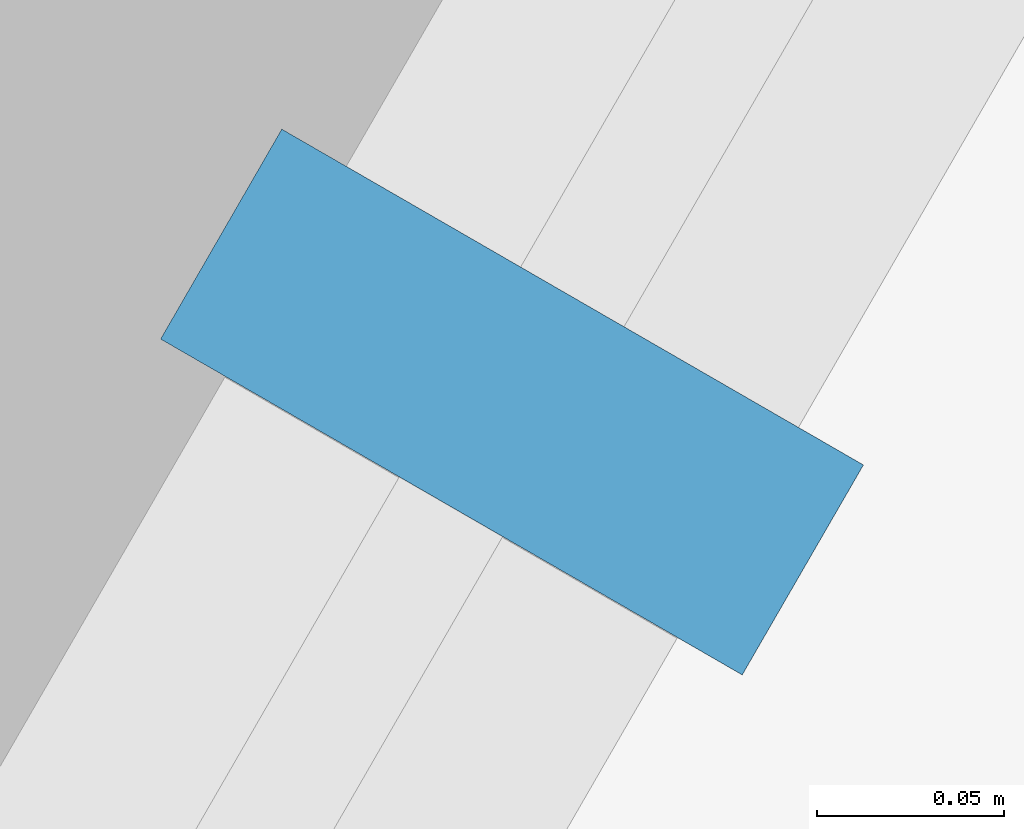
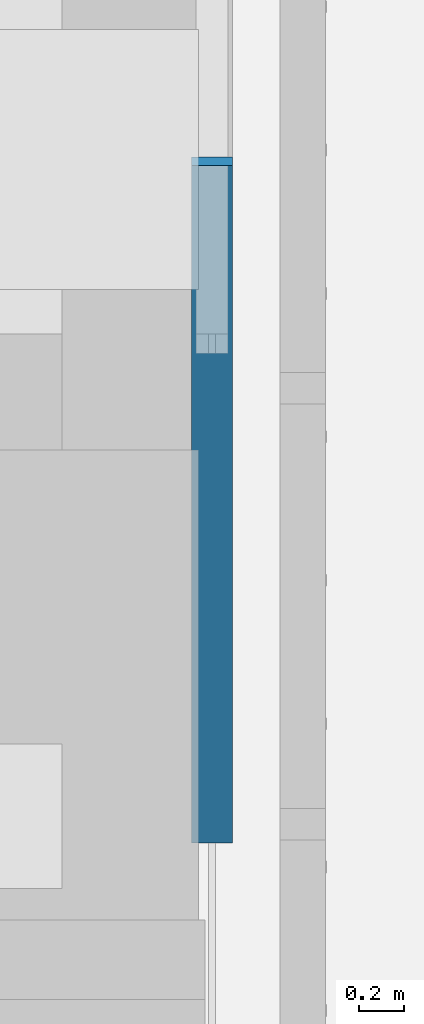
# One storey, part 110 of 238: 1 member, 1 element without a shape of its own.
"""IFC4 building model written with IfcOpenShell, lengths in metres."""

import ifcopenshell
import ifcopenshell.guid

model = None  # the IFC model being written
_history = None  # IfcOwnerHistory: only IFC2X3 demands one
_inside = {}  # id of a spatial element -> (the spatial element, [elements in it])
_under = {}  # id of a project, library or spatial element -> (it, [spatial elements below it])
_declared = {}  # id of a project -> (the project, [libraries it declares])
_typed = {}  # id of a type object -> (the type object, [elements of that type])
_made_of = {}  # id of a material, layer set ... -> (it, [elements and type objects made of it])


def new_model(schema):
    """Start an empty IFC model of exactly this schema.

    Asked for "IFC4X3", IfcOpenShell would pick the latest addendum, in which some entities
    have other attributes; the version numbers below select the first issue.
    IFC2X3 requires an IfcOwnerHistory on every rooted entity: one is made here for all.
    """
    global model, _history
    if schema == "IFC4X3":
        model = ifcopenshell.file(schema_version=(4, 3, 0, 0))
    else:
        model = ifcopenshell.file(schema=schema)
    _inside.clear()
    _under.clear()
    _declared.clear()
    _typed.clear()
    _made_of.clear()
    _history = None
    if model.schema == "IFC2X3":
        org = make("IfcOrganization", Name="unknown")
        user = make(
            "IfcPersonAndOrganization",
            ThePerson=make("IfcPerson", FamilyName="unknown"),
            TheOrganization=org,
        )
        app = make(
            "IfcApplication",
            ApplicationDeveloper=org,
            Version="unknown",
            ApplicationFullName="unknown",
            ApplicationIdentifier="unknown",
        )
        _history = make(
            "IfcOwnerHistory",
            OwningUser=user,
            OwningApplication=app,
            ChangeAction="ADDED",
            CreationDate=0,
        )
    return model


def make(cls, **values):
    """One entity of the class cls with the attributes given. An attribute that is None is left unset."""
    return model.create_entity(
        cls, **{name: value for name, value in values.items() if value is not None}
    )


def rooted(cls, **values):
    """An entity with a GlobalId (a new one), such as an element, a storey or a relation."""
    return make(cls, GlobalId=ifcopenshell.guid.new(), OwnerHistory=_history, **values)


def si_unit(unit_type, name, prefix=None):
    """IfcSIUnit, for example si_unit("LENGTHUNIT", "METRE", prefix="MILLI")."""
    return make("IfcSIUnit", UnitType=unit_type, Prefix=prefix, Name=name)


def assignment(units):
    """IfcUnitAssignment: the units of a project."""
    return None if units is None else make("IfcUnitAssignment", Units=units)


def point(xyz):
    """IfcCartesianPoint."""
    return None if xyz is None else make("IfcCartesianPoint", Coordinates=xyz)


def direction(xyz):
    """IfcDirection."""
    return None if xyz is None else make("IfcDirection", DirectionRatios=xyz)


def frame(location, z_axis=None, x_axis=None):
    """IfcAxis2Placement3D, a coordinate frame: its origin and axes. An axis left out is left unset."""
    return make(
        "IfcAxis2Placement3D",
        Location=point(location),
        Axis=direction(z_axis),
        RefDirection=direction(x_axis),
    )


def frame_2d(location, x_axis=None):
    """IfcAxis2Placement2D, a coordinate frame in the plane: its origin and x axis."""
    return make(
        "IfcAxis2Placement2D", Location=point(location), RefDirection=direction(x_axis)
    )


def origin():
    """The frame at (0, 0, 0) with its axes left unset."""
    return frame((0.0, 0.0, 0.0))


def origin_2d():
    """The frame at (0, 0) in the plane with its x axis left unset."""
    return frame_2d((0.0, 0.0))


def place(relative_to, where):
    """IfcLocalPlacement: puts the frame where relative to a parent placement (None: the world)."""
    return make(
        "IfcLocalPlacement", PlacementRelTo=relative_to, RelativePlacement=where
    )


def context(
    kind, dimensions, precision=None, world=None, true_north=None, identifier=None
):
    """IfcGeometricRepresentationContext, for example the 3D "Model" context."""
    return make(
        "IfcGeometricRepresentationContext",
        ContextIdentifier=identifier,
        ContextType=kind,
        CoordinateSpaceDimension=dimensions,
        Precision=precision,
        WorldCoordinateSystem=world,
        TrueNorth=true_north,
    )


def subcontext(parent, identifier, kind, view, scale=None):
    """IfcGeometricRepresentationSubContext, for example "Body" below "Model"."""
    return make(
        "IfcGeometricRepresentationSubContext",
        ContextIdentifier=identifier,
        ContextType=kind,
        ParentContext=parent,
        TargetScale=scale,
        TargetView=view,
    )


def project(units=None, contexts=None):
    """IfcProject with its units and contexts."""
    return rooted(
        "IfcProject",
        Name="project",
        RepresentationContexts=contexts,
        UnitsInContext=assignment(units),
    )


def spatial(cls, under=None, at=None, **own):
    """A site, building, storey or space (cls), placed at a placement, below another one or the project."""
    s = rooted(cls, ObjectPlacement=at, **own)
    if under is not None:
        _under.setdefault(under.id(), (under, []))[1].append(s)
    return s


def profile(cls, at=None, kind="AREA", **sizes):
    """A parametric profile (cls). Its sizes go by their IFC names, for example OverallWidth=200.0."""
    return make(cls, ProfileType=kind, Position=at, **sizes)


def rectangle(**sizes):
    """IfcRectangleProfileDef."""
    return profile("IfcRectangleProfileDef", **sizes)


def extrude(swept, where, along, depth):
    """IfcExtrudedAreaSolid: the profile swept, set in the frame where, extruded along a direction by depth."""
    return make(
        "IfcExtrudedAreaSolid",
        SweptArea=swept,
        Position=where,
        ExtrudedDirection=direction(along),
        Depth=depth,
    )


def shape(context_of_items, identifier, shape_type, items):
    """IfcShapeRepresentation: the items that make up one representation, for example the "Body"."""
    return make(
        "IfcShapeRepresentation",
        ContextOfItems=context_of_items,
        RepresentationIdentifier=identifier,
        RepresentationType=shape_type,
        Items=items,
    )


def material(Name=None, Category=None):
    """IfcMaterial."""
    return make("IfcMaterial", Name=Name, Category=Category)


def material_profile(
    of_material, cross_section, Name=None, Category=None, Priority=None
):
    """IfcMaterialProfile: a cross section and its material."""
    return make(
        "IfcMaterialProfile",
        Name=Name,
        Material=of_material,
        Profile=cross_section,
        Priority=Priority,
        Category=Category,
    )


def profile_set(profiles, Name=None, composite=None):
    """IfcMaterialProfileSet."""
    return make(
        "IfcMaterialProfileSet",
        Name=Name,
        MaterialProfiles=profiles,
        CompositeProfile=composite,
    )


def made_of(thing, what):
    """Note that an element or type object is made of a material, layer set ...; save() writes the relation."""
    if what is not None:
        _made_of.setdefault(what.id(), (what, []))[1].append(thing)
    return thing


def type_object(cls, material=None, **own):
    """A type object (cls), such as IfcWallType, which elements share."""
    return made_of(rooted(cls, **own), material)


def element(
    cls,
    number,
    at=None,
    inside=None,
    cuts=None,
    type_object=None,
    material=None,
    context=None,
    identifier="Body",
    shape_type=None,
    held_by="IfcProductDefinitionShape",
    body=None,
    shapes=None,
    **own,
):
    """One element of the class cls, such as IfcWall. Its Tag is "e" and its number.

    at: its placement. inside: the storey or other place that contains it. cuts: it is an
    opening in that element (IfcRelVoidsElement). A single representation is given by context,
    identifier, shape_type and body (its items); several are given by shapes. held_by: the class
    of the entity that holds the representations. save() writes the other relations.
    """
    e = rooted(cls, Tag="e%d" % number, ObjectPlacement=at, **own)
    if body is not None:
        shapes = [shape(context, identifier, shape_type, body)]
    if shapes is not None:
        e.Representation = make(held_by, Representations=shapes)
    if inside is not None:
        _inside.setdefault(inside.id(), (inside, []))[1].append(e)
    if cuts is not None:
        rooted(
            "IfcRelVoidsElement", RelatingBuildingElement=cuts, RelatedOpeningElement=e
        )
    if type_object is not None:
        _typed.setdefault(type_object.id(), (type_object, []))[1].append(e)
    return made_of(e, material)


def aggregate(whole, parts):
    """IfcRelAggregates: a whole, such as a stair, and the parts it consists of."""
    return rooted("IfcRelAggregates", RelatingObject=whole, RelatedObjects=parts)


def save(model, path):
    """Write the relations noted so far, then the file.

    IfcRelAggregates (storeys below a building ...), IfcRelContainedInSpatialStructure (elements
    in a storey), IfcRelDefinesByType, IfcRelAssociatesMaterial and IfcRelDeclares: one each for
    every whole, place, type object, material and project.
    """
    for whole, parts in _under.values():
        aggregate(whole, parts)
    for where, things in _inside.values():
        rooted(
            "IfcRelContainedInSpatialStructure",
            RelatedElements=things,
            RelatingStructure=where,
        )
    for kind, things in _typed.values():
        rooted("IfcRelDefinesByType", RelatedObjects=things, RelatingType=kind)
    for what, things in _made_of.values():
        rooted("IfcRelAssociatesMaterial", RelatedObjects=things, RelatingMaterial=what)
    for by, libraries in _declared.values():
        rooted("IfcRelDeclares", RelatingContext=by, RelatedDefinitions=libraries)
    model.write(path)


model = new_model("IFC4")

# Units and contexts
model_context = context("Model", 3, precision=1e-05, world=origin(), true_north=direction((0.0, 1.0)))
body_context = subcontext(model_context, "Body", "Model", "MODEL_VIEW")
ifc_project = project(units=[si_unit("LENGTHUNIT", "METRE"), si_unit("AREAUNIT", "SQUARE_METRE"), si_unit("VOLUMEUNIT", "CUBIC_METRE"), si_unit("PLANEANGLEUNIT", "RADIAN"), si_unit("MASSUNIT", "GRAM", prefix="KILO")], contexts=[model_context])

# Site, building, storey
site_placement = place(None, origin())
site = spatial("IfcSite", under=ifc_project, at=site_placement, CompositionType="ELEMENT")
building_placement = place(site_placement, origin())
building = spatial("IfcBuilding", under=site, at=building_placement, Name="Sandreach Pilgrim Tower", CompositionType="ELEMENT")
storey_placement = place(building_placement, frame((0.0, 0.0, 96.800048828125)))
storey = spatial("IfcBuildingStorey", under=building, at=storey_placement, Name="L23", CompositionType="ELEMENT", Elevation=96.800048828125)

# Curtain wall, member
ifc_material_1 = material(Name="Aluminium framed curtain wall", Category="aluminium")
curtain_wall_type = type_object("IfcCurtainWallType", Name="Hotel tower curtain wall", PredefinedType="NOTDEFINED", material=ifc_material_1)
curtain_wall_placement = place(storey_placement, origin())
curtain_wall = element("IfcCurtainWall", 1, at=curtain_wall_placement, inside=storey, type_object=curtain_wall_type, Name="CW-2 L23 SE", PredefinedType="NOTDEFINED")
ifc_material_2 = material(Name="Aluminium extrusion", Category="aluminium")
ifc_material_profile = material_profile(ifc_material_2, rectangle(XDim=0.06494140625, YDim=0.179931640625, at=origin_2d()), Name="CW-2M 65X180")
ifc_profile_set = profile_set([ifc_material_profile], Name="Aluminium extrusion")
member_type = type_object("IfcMemberType", Name="CW-2 mullion", PredefinedType="MULLION", material=ifc_profile_set)
member_placement = place(storey_placement, frame((24.614013671875, -2.35498046875, 0.0), z_axis=(0.0, 0.0, 1.0), x_axis=(-0.5, -0.866025403784, 0.0)))
member = element("IfcMember", 2, at=member_placement, type_object=member_type, Name="CW-2 mullion 3", PredefinedType="MULLION", context=body_context, shape_type="SweptSolid", body=[
    extrude(rectangle(XDim=0.06494140625, YDim=0.179931640625, at=origin_2d()), origin(), (0.0, 0.0, 1.0), 3.639892578125),
])
aggregate(curtain_wall, [member])

save(model, "model.ifc")
